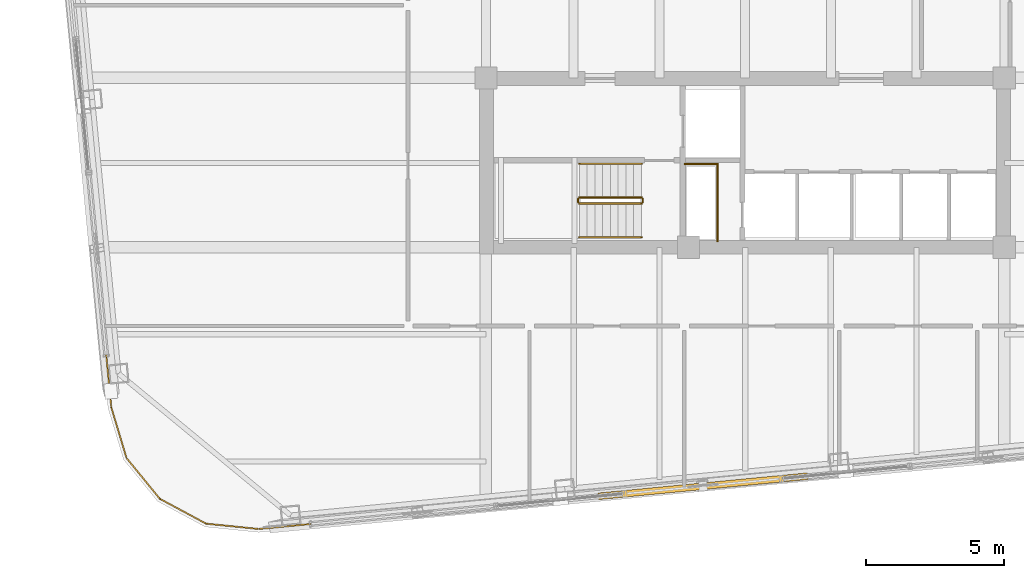
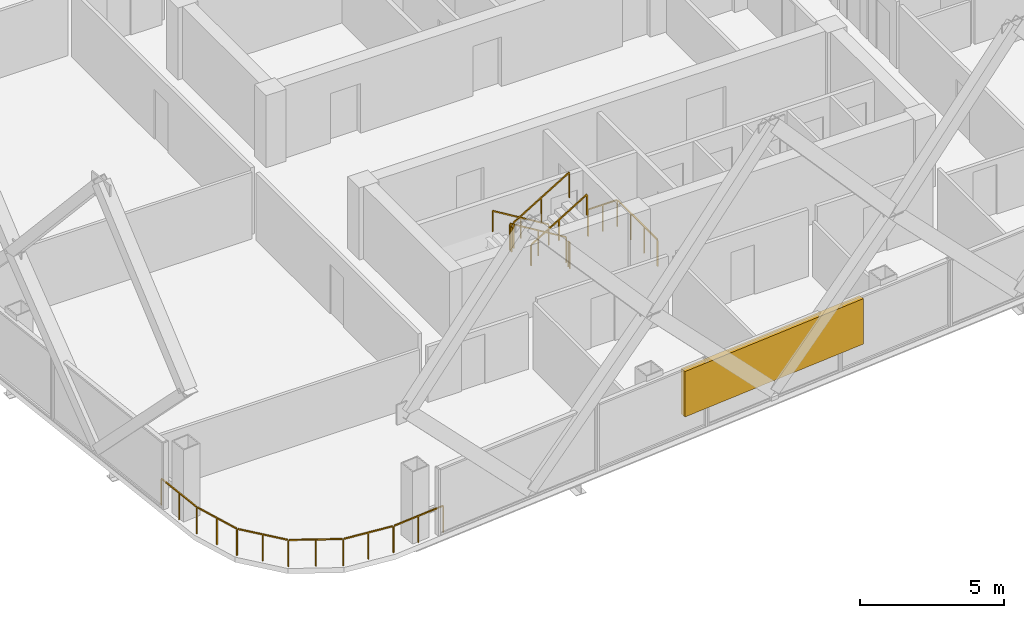
# One storey, part 32 of 34: 8 railings, 1 shading device.
"""IFC4 building model written with IfcOpenShell, lengths in metres."""

from ifc_helpers import new_model, si_unit, direction, frame, origin, origin_2d, place, context, subcontext, project, spatial, rectangle, extrude, material, type_object, element, save


model = new_model("IFC4")

# Units and contexts
model_context = context("Model", 3, precision=1e-05, world=origin(), true_north=direction((0.0, 1.0)))
body_context = subcontext(model_context, "Body", "Model", "MODEL_VIEW")
ifc_project = project(units=[si_unit("LENGTHUNIT", "METRE"), si_unit("AREAUNIT", "SQUARE_METRE"), si_unit("VOLUMEUNIT", "CUBIC_METRE"), si_unit("PLANEANGLEUNIT", "RADIAN"), si_unit("MASSUNIT", "GRAM", prefix="KILO")], contexts=[model_context])

# Site, building, storey
site_placement = place(None, origin())
site = spatial("IfcSite", under=ifc_project, at=site_placement, CompositionType="ELEMENT")
building_placement = place(site_placement, origin())
building = spatial("IfcBuilding", under=site, at=building_placement, Name="Qhalaya Broadcast Tower", CompositionType="ELEMENT")
storey_placement = place(building_placement, frame((0.0, 0.0, 168.35009765625)))
storey = spatial("IfcBuildingStorey", under=building, at=storey_placement, Name="L49", CompositionType="ELEMENT", Elevation=168.35009765625)

# Railings
ifc_material_1 = material(Name="Powder-Coated Galvanised Steel", Category="steel")
railing_type_1 = type_object("IfcRailingType", Name="Stair Wall Handrail 900", PredefinedType="HANDRAIL", material=ifc_material_1)
railing_1_placement = place(storey_placement, frame((-3.75, -5.72998046875, 0.16943359375)))
element("IfcRailing", 1, at=railing_1_placement, inside=storey, type_object=railing_type_1, Name="L49 ST-2 Stair Handrail 1", PredefinedType="HANDRAIL", context=body_context, shape_type="SweptSolid", body=[
    extrude(rectangle(XDim=0.048095703125, YDim=0.048095703125, at=origin_2d()), frame((0.0, 0.0, 0.8759765625), z_axis=(-0.855553338991, 0.0, 0.51771467445), x_axis=(0.0, -1.0, 0.0)), (0.0, 0.0, 1.0), 2.6181640625),
    extrude(rectangle(XDim=0.0419921875, YDim=0.0419921875, at=origin_2d()), origin(), (0.0, 0.0, 1.0), 0.849853515625),
    extrude(rectangle(XDim=0.0419921875, YDim=0.0419921875, at=origin_2d()), frame((-1.1201171875, 0.0, 0.677734375)), (0.0, 0.0, 1.0), 0.849853515625),
    extrude(rectangle(XDim=0.0419921875, YDim=0.0419921875, at=origin_2d()), frame((-2.239990234375, 0.0, 1.35546875)), (0.0, 0.0, 1.0), 0.849853515625),
])
railing_2_placement = place(storey_placement, frame((-5.989990234375, -8.389892578125, 1.6943359375)))
element("IfcRailing", 2, at=railing_2_placement, inside=storey, type_object=railing_type_1, Name="L49 ST-2 Stair Handrail 2", PredefinedType="HANDRAIL", context=body_context, shape_type="SweptSolid", body=[
    extrude(rectangle(XDim=0.048095703125, YDim=0.048095703125, at=origin_2d()), frame((0.0, 0.0, 0.8759765625), z_axis=(0.855553338991, 0.0, 0.51771467445), x_axis=(0.0, 1.0, 0.0)), (0.0, 0.0, 1.0), 2.6181640625),
    extrude(rectangle(XDim=0.0419921875, YDim=0.0419921875, at=origin_2d()), origin(), (0.0, 0.0, 1.0), 0.849853515625),
    extrude(rectangle(XDim=0.0419921875, YDim=0.0419921875, at=origin_2d()), frame((1.1201171875, 0.0, 0.677734375)), (0.0, 0.0, 1.0), 0.849853515625),
    extrude(rectangle(XDim=0.0419921875, YDim=0.0419921875, at=origin_2d()), frame((2.239990234375, 0.0, 1.35546875)), (0.0, 0.0, 1.0), 0.849853515625),
])
railing_type_2 = type_object("IfcRailingType", Name="Stair Well & Landing Guardrail 1100", PredefinedType="GUARDRAIL", material=ifc_material_1)
railing_3_placement = place(storey_placement, frame((-1.0, -8.52001953125, 0.0)))
element("IfcRailing", 3, at=railing_3_placement, inside=storey, type_object=railing_type_2, Name="L49 Service Riser Opening Safety Guard SRSR", PredefinedType="GUARDRAIL", context=body_context, shape_type="SweptSolid", body=[
    extrude(rectangle(XDim=0.048095703125, YDim=0.048095703125, at=origin_2d()), frame((0.0, 0.0, 1.1259765625), z_axis=(0.0, 1.0, 0.0), x_axis=(-1.0, 0.0, 0.0)), (0.0, 0.0, 1.0), 2.751220703125),
    extrude(rectangle(XDim=0.048095703125, YDim=0.048095703125, at=origin_2d()), frame((-0.02880859375, 2.780029296875, 1.1259765625), z_axis=(-1.0, 0.0, 0.0), x_axis=(0.0, -1.0, 0.0)), (0.0, 0.0, 1.0), 1.151123046875),
    extrude(rectangle(XDim=0.0419921875, YDim=0.0419921875, at=origin_2d()), origin(), (0.0, 0.0, 1.0), 1.099853515625),
    extrude(rectangle(XDim=0.0419921875, YDim=0.0419921875, at=origin_2d()), frame((0.0, 0.9267578125, 0.0)), (0.0, 0.0, 1.0), 1.099853515625),
    extrude(rectangle(XDim=0.0419921875, YDim=0.0419921875, at=origin_2d()), frame((0.0, 1.853271484375, 0.0)), (0.0, 0.0, 1.0), 1.099853515625),
    extrude(rectangle(XDim=0.0419921875, YDim=0.0419921875, at=origin_2d()), frame((0.0, 2.780029296875, 0.0)), (0.0, 0.0, 1.0), 1.099853515625),
    extrude(rectangle(XDim=0.0419921875, YDim=0.0419921875, at=origin_2d()), frame((-0.58984375, 2.780029296875, 0.0)), (0.0, 0.0, 1.0), 1.099853515625),
    extrude(rectangle(XDim=0.0419921875, YDim=0.0419921875, at=origin_2d()), frame((-1.179931640625, 2.780029296875, 0.0)), (0.0, 0.0, 1.0), 1.099853515625),
])
railing_4_placement = place(storey_placement, frame((-3.75, -6.949951171875, 0.16943359375)))
element("IfcRailing", 4, at=railing_4_placement, inside=storey, type_object=railing_type_2, Name="L49 ST-2 Stair Guard 1", PredefinedType="GUARDRAIL", context=body_context, shape_type="SweptSolid", body=[
    extrude(rectangle(XDim=0.048095703125, YDim=0.048095703125, at=origin_2d()), frame((0.0, 0.0, 1.076171875), z_axis=(-0.855553338991, 0.0, 0.51771467445), x_axis=(0.0, -1.0, 0.0)), (0.0, 0.0, 1.0), 2.6181640625),
    extrude(rectangle(XDim=0.0419921875, YDim=0.0419921875, at=origin_2d()), origin(), (0.0, 0.0, 1.0), 1.050048828125),
    extrude(rectangle(XDim=0.0419921875, YDim=0.0419921875, at=origin_2d()), frame((-1.1201171875, 0.0, 0.677734375)), (0.0, 0.0, 1.0), 1.050048828125),
    extrude(rectangle(XDim=0.0419921875, YDim=0.0419921875, at=origin_2d()), frame((-2.239990234375, 0.0, 1.35546875)), (0.0, 0.0, 1.0), 1.050048828125),
])
railing_5_placement = place(storey_placement, frame((-6.0400390625, -7.0, 1.52490234375)))
element("IfcRailing", 5, at=railing_5_placement, inside=storey, type_object=railing_type_2, Name="L49 ST-2 Stair Guard 2", PredefinedType="GUARDRAIL", context=body_context, shape_type="SweptSolid", body=[
    extrude(rectangle(XDim=0.048095703125, YDim=0.048095703125, at=origin_2d()), frame((0.0, 0.0, 1.076171875), z_axis=(0.0, -1.0, 0.0), x_axis=(1.0, 0.0, 0.0)), (0.0, 0.0, 1.0), 0.1201171875),
    extrude(rectangle(XDim=0.0419921875, YDim=0.0419921875, at=origin_2d()), origin(), (0.0, 0.0, 1.0), 1.050048828125),
    extrude(rectangle(XDim=0.0419921875, YDim=0.0419921875, at=origin_2d()), frame((0.0, -0.1201171875, 0.0)), (0.0, 0.0, 1.0), 1.050048828125),
])
railing_6_placement = place(storey_placement, frame((-5.989990234375, -7.169921875, 1.6943359375)))
element("IfcRailing", 6, at=railing_6_placement, inside=storey, type_object=railing_type_2, Name="L49 ST-2 Stair Guard 3", PredefinedType="GUARDRAIL", context=body_context, shape_type="SweptSolid", body=[
    extrude(rectangle(XDim=0.048095703125, YDim=0.048095703125, at=origin_2d()), frame((0.0, 0.0, 1.076171875), z_axis=(0.855553338991, 0.0, 0.51771467445), x_axis=(0.0, 1.0, 0.0)), (0.0, 0.0, 1.0), 2.6181640625),
    extrude(rectangle(XDim=0.0419921875, YDim=0.0419921875, at=origin_2d()), origin(), (0.0, 0.0, 1.0), 1.050048828125),
    extrude(rectangle(XDim=0.0419921875, YDim=0.0419921875, at=origin_2d()), frame((1.1201171875, 0.0, 0.677734375)), (0.0, 0.0, 1.0), 1.050048828125),
    extrude(rectangle(XDim=0.0419921875, YDim=0.0419921875, at=origin_2d()), frame((2.239990234375, 0.0, 1.35546875)), (0.0, 0.0, 1.0), 1.050048828125),
])
railing_7_placement = place(storey_placement, frame((-3.699951171875, -7.0, 0.0)))
element("IfcRailing", 7, at=railing_7_placement, inside=storey, type_object=railing_type_2, Name="L49 ST-2 Stair Guard 4", PredefinedType="GUARDRAIL", context=body_context, shape_type="SweptSolid", body=[
    extrude(rectangle(XDim=0.048095703125, YDim=0.048095703125, at=origin_2d()), frame((0.0, 0.0, 1.076171875), z_axis=(0.0, -1.0, 0.0), x_axis=(1.0, 0.0, 0.0)), (0.0, 0.0, 1.0), 0.1201171875),
    extrude(rectangle(XDim=0.0419921875, YDim=0.0419921875, at=origin_2d()), origin(), (0.0, 0.0, 1.0), 1.050048828125),
    extrude(rectangle(XDim=0.0419921875, YDim=0.0419921875, at=origin_2d()), frame((0.0, -0.1201171875, 0.0)), (0.0, 0.0, 1.0), 1.050048828125),
])
railing_type_3 = type_object("IfcRailingType", Name="Terrace, Sky-Pool & Lookout Glass Balustrade 1150", PredefinedType="BALUSTRADE", material=ifc_material_1)
railing_8_placement = place(storey_placement, frame((-15.479736328125, -18.73681640625, 0.0)))
element("IfcRailing", 8, at=railing_8_placement, inside=storey, type_object=railing_type_3, Name="L49 Rounded Corner Perimeter Guard 02", PredefinedType="BALUSTRADE", context=body_context, shape_type="SweptSolid", body=[
    extrude(rectangle(XDim=0.048095703125, YDim=0.048095703125, at=origin_2d()), frame((0.0, 0.0, 1.1259765625), z_axis=(-0.995391273094, -0.095896889673, 0.0), x_axis=(0.095896889673, -0.995391273094, 0.0)), (0.0, 0.0, 1.0), 2.08935546875),
    extrude(rectangle(XDim=0.048095703125, YDim=0.048095703125, at=origin_2d()), frame((-2.13720703125, -0.2001953125, 1.1259765625), z_axis=(-0.994968808814, 0.100185175984, 0.0), x_axis=(-0.100185175984, -0.994968808814, 0.0)), (0.0, 0.0, 1.0), 1.857666015625),
    extrude(rectangle(XDim=0.048095703125, YDim=0.048095703125, at=origin_2d()), frame((-4.03955078125, 0.00244140625, 1.1259765625), z_axis=(-0.880932037714, 0.473242797018, 0.0), x_axis=(-0.473242797018, -0.880932037714, 0.0)), (0.0, 0.0, 1.0), 1.845458984375),
    extrude(rectangle(XDim=0.048095703125, YDim=0.048095703125, at=origin_2d()), frame((-5.708984375, 0.911865234375, 1.1259765625), z_axis=(-0.632671796541, 0.774420039683, 0.0), x_axis=(-0.774420039683, -0.632671796541, 0.0)), (0.0, 0.0, 1.0), 1.845458984375),
    extrude(rectangle(XDim=0.048095703125, YDim=0.048095703125, at=origin_2d()), frame((-6.903076171875, 2.390869140625, 1.1259765625), z_axis=(-0.288213171456, 0.95756627332, 0.0), x_axis=(-0.95756627332, -0.288213171456, 0.0)), (0.0, 0.0, 1.0), 1.857421875),
    extrude(rectangle(XDim=0.048095703125, YDim=0.048095703125, at=origin_2d()), frame((-7.449462890625, 4.22607421875, 1.1259765625), z_axis=(-0.095782687057, 0.995402268864, 0.0), x_axis=(-0.995402268864, -0.095782687057, 0.0)), (0.0, 0.0, 1.0), 2.08935546875),
    extrude(rectangle(XDim=0.0419921875, YDim=0.0419921875, at=origin_2d()), origin(), (0.0, 0.0, 1.0), 1.099853515625),
    extrude(rectangle(XDim=0.0419921875, YDim=0.0419921875, at=origin_2d()), frame((-1.05419921875, -0.1015625, 0.0)), (0.0, 0.0, 1.0), 1.099853515625),
    extrude(rectangle(XDim=0.0419921875, YDim=0.0419921875, at=origin_2d()), frame((-2.1083984375, -0.203125, 0.0)), (0.0, 0.0, 1.0), 1.099853515625),
    extrude(rectangle(XDim=0.0419921875, YDim=0.0419921875, at=origin_2d()), frame((-3.061279296875, -0.107177734375, 0.0)), (0.0, 0.0, 1.0), 1.099853515625),
    extrude(rectangle(XDim=0.0419921875, YDim=0.0419921875, at=origin_2d()), frame((-4.01416015625, -0.01123046875, 0.0)), (0.0, 0.0, 1.0), 1.099853515625),
    extrude(rectangle(XDim=0.0419921875, YDim=0.0419921875, at=origin_2d()), frame((-4.8525390625, 0.43896484375, 0.0)), (0.0, 0.0, 1.0), 1.099853515625),
    extrude(rectangle(XDim=0.0419921875, YDim=0.0419921875, at=origin_2d()), frame((-5.690673828125, 0.889404296875, 0.0)), (0.0, 0.0, 1.0), 1.099853515625),
    extrude(rectangle(XDim=0.0419921875, YDim=0.0419921875, at=origin_2d()), frame((-6.292724609375, 1.62646484375, 0.0)), (0.0, 0.0, 1.0), 1.099853515625),
    extrude(rectangle(XDim=0.0419921875, YDim=0.0419921875, at=origin_2d()), frame((-6.894775390625, 2.36328125, 0.0)), (0.0, 0.0, 1.0), 1.099853515625),
    extrude(rectangle(XDim=0.0419921875, YDim=0.0419921875, at=origin_2d()), frame((-7.1708984375, 3.2802734375, 0.0)), (0.0, 0.0, 1.0), 1.099853515625),
    extrude(rectangle(XDim=0.0419921875, YDim=0.0419921875, at=origin_2d()), frame((-7.44677734375, 4.197265625, 0.0)), (0.0, 0.0, 1.0), 1.099853515625),
    extrude(rectangle(XDim=0.0419921875, YDim=0.0419921875, at=origin_2d()), frame((-7.54833984375, 5.25146484375, 0.0)), (0.0, 0.0, 1.0), 1.099853515625),
    extrude(rectangle(XDim=0.0419921875, YDim=0.0419921875, at=origin_2d()), frame((-7.649658203125, 6.3056640625, 0.0)), (0.0, 0.0, 1.0), 1.099853515625),
])

# Shading device
ifc_material_2 = material(Name="Fired Architectural Terracotta", Category="masonry")
shading_device_type = type_object("IfcShadingDeviceType", Name="Terracotta Baguette Solar Screen Assembly TBS-01", PredefinedType="USERDEFINED", material=ifc_material_2)
shading_device_placement = place(storey_placement, frame((-1.5244140625, -17.393310546875, 0.79248046875), z_axis=(0.0, 0.0, 1.0), x_axis=(0.995396198367, 0.09584575252, 0.0)))
element("IfcShadingDevice", 9, at=shading_device_placement, inside=storey, type_object=shading_device_type, Name="L49 Fired Terracotta Baguette Screen S", ObjectType="BAGUETTE", PredefinedType="USERDEFINED", context=body_context, shape_type="SweptSolid", body=[
    extrude(rectangle(XDim=7.60009765625, YDim=0.239990234375, at=origin_2d()), origin(), (0.0, 0.0, 1.0), 1.924072265625),
])

save(model, "model.ifc")
